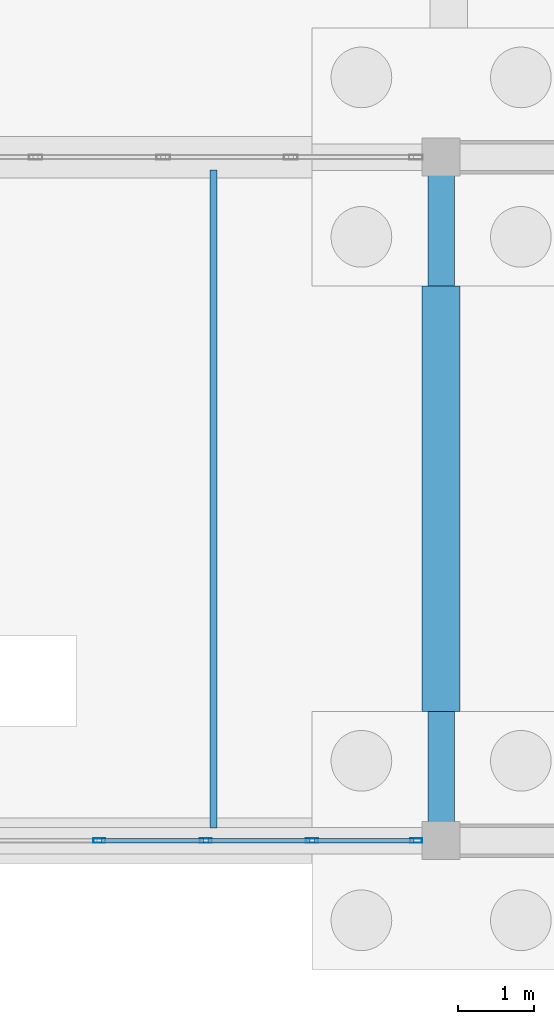
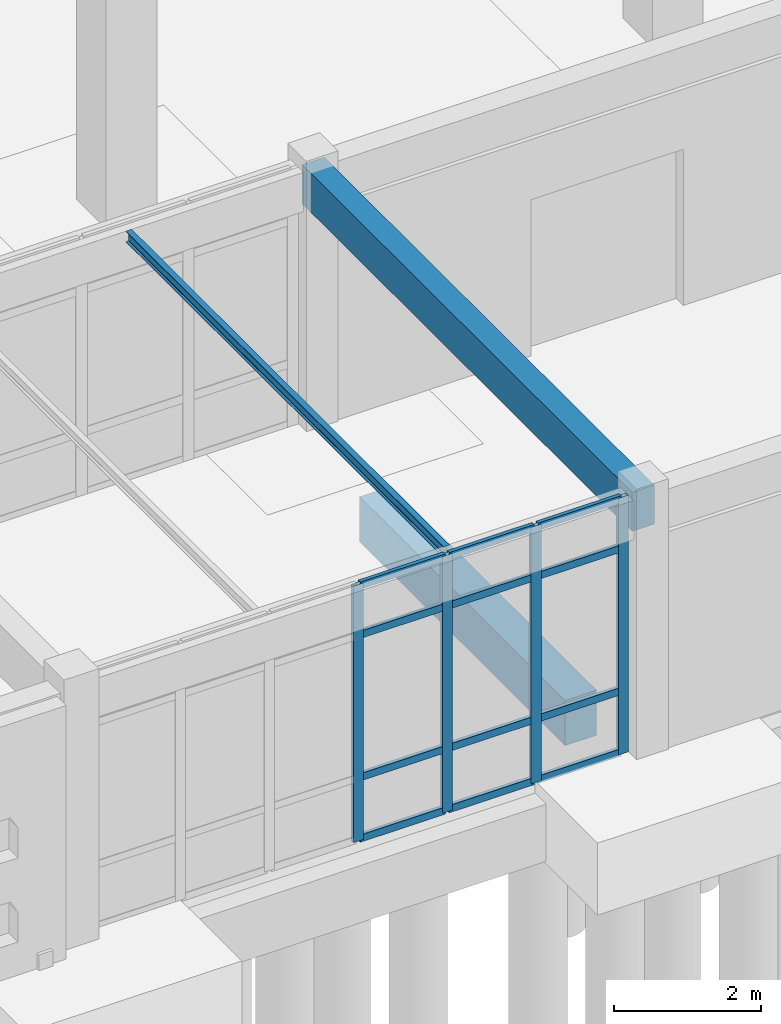
# One storey, part 29 of 186: 16 members, 3 beams, 1 element without a shape of its own.
"""IFC4 building model written with IfcOpenShell, lengths in metres."""

from ifc_helpers import new_model, si_unit, direction, frame, origin, origin_2d, place, context, subcontext, project, spatial, rectangle, hollow_rectangle, i_section, extrude, material, layer, layer_set, material_profile, profile_set, type_object, element, aggregate, save


model = new_model("IFC4")

# Units and contexts
model_context = context("Model", 3, precision=1e-05, world=origin(), true_north=direction((0.0, 1.0)))
body_context = subcontext(model_context, "Body", "Model", "MODEL_VIEW")
ifc_project = project(units=[si_unit("LENGTHUNIT", "METRE"), si_unit("AREAUNIT", "SQUARE_METRE"), si_unit("VOLUMEUNIT", "CUBIC_METRE"), si_unit("PLANEANGLEUNIT", "RADIAN"), si_unit("MASSUNIT", "GRAM", prefix="KILO")], contexts=[model_context])

# Site, building, storey
site_placement = place(None, origin())
site = spatial("IfcSite", under=ifc_project, at=site_placement, CompositionType="ELEMENT")
building_placement = place(site_placement, origin())
building = spatial("IfcBuilding", under=site, at=building_placement, Name="Ornek Quay Market", CompositionType="ELEMENT")
storey_placement = place(building_placement, origin())
storey = spatial("IfcBuildingStorey", under=building, at=storey_placement, Name="L00", CompositionType="ELEMENT", Elevation=0.0)

# Beams
ifc_material_1 = material(Name="Concrete C35/45", Category="concrete")
ifc_material_profile_1 = material_profile(ifc_material_1, rectangle(XDim=0.35009765625, YDim=0.64990234375, at=origin_2d()), Name="RC 350x650", Category="concrete")
ifc_profile_set_1 = profile_set([ifc_material_profile_1], Name="Concrete C35/45")
beam_type_1 = type_object("IfcBeamType", Name="BM-CONC-350x650", PredefinedType="BEAM", material=ifc_profile_set_1)
beam_1_placement = place(storey_placement, frame((36.0, 20.0, 3.945068359375), z_axis=(0.0, 1.0, 0.0), x_axis=(-1.0, 0.0, 0.0)))
element("IfcBeam", 1, at=beam_1_placement, inside=storey, type_object=beam_type_1, Name="Primary beam B-CN1-070", PredefinedType="BEAM", context=body_context, shape_type="SweptSolid", body=[
    extrude(rectangle(XDim=0.35009765625, YDim=0.64990234375, at=origin_2d()), origin(), (0.0, 0.0, 1.0), 9.0),
])
ifc_material_profile_2 = material_profile(ifc_material_1, rectangle(XDim=0.5, YDim=0.75, at=origin_2d()), Name="RC 500x750", Category="concrete")
ifc_profile_set_2 = profile_set([ifc_material_profile_2], Name="Concrete C35/45")
beam_type_2 = type_object("IfcBeamType", Name="BM-GB-500x750", PredefinedType="BEAM", material=ifc_profile_set_2)
beam_2_placement = place(storey_placement, frame((36.0, 21.699951171875, -0.574951171875), z_axis=(0.0, 1.0, 0.0), x_axis=(-1.0, 0.0, 0.0)))
element("IfcBeam", 2, at=beam_2_placement, inside=storey, type_object=beam_type_2, Name="Ground tie beam GB-088", PredefinedType="BEAM", context=body_context, shape_type="SweptSolid", body=[
    extrude(rectangle(XDim=0.5, YDim=0.75, at=origin_2d()), origin(), (0.0, 0.0, 1.0), 5.60009765625),
])
ifc_material_2 = material(Name="Steel S355", Category="steel")
ifc_material_profile_3 = material_profile(ifc_material_2, i_section(OverallWidth=0.091064453125, OverallDepth=0.179931640625, WebThickness=0.00537109375, FlangeThickness=0.008056640625, FilletRadius=0.009033203125, at=origin_2d()), Name="IPE 180", Category="steel")
ifc_profile_set_3 = profile_set([ifc_material_profile_3], Name="Steel S355")
beam_type_3 = type_object("IfcBeamType", Name="BM-STL-IPE180", PredefinedType="JOIST", material=ifc_profile_set_3)
beam_3_placement = place(storey_placement, frame((33.0, 20.1669921875, 4.179931640625), z_axis=(0.0, 1.0, 0.0), x_axis=(-1.0, 0.0, 0.0)))
element("IfcBeam", 3, at=beam_3_placement, inside=storey, type_object=beam_type_3, Name="Secondary joist SB-01-006", PredefinedType="JOIST", context=body_context, shape_type="SweptSolid", body=[
    extrude(i_section(OverallWidth=0.091064453125, OverallDepth=0.179931640625, WebThickness=0.00537109375, FlangeThickness=0.008056640625, FilletRadius=0.009033203125, at=origin_2d()), origin(), (0.0, 0.0, 1.0), 8.666015625),
])

# Curtain wall, members
ifc_material_3 = material(Name="Anodised bronze aluminium and triple low-e glass", Category="aluminium")
ifc_layer = layer(ifc_material_3, 0.179931640625, Name="Anodised bronze aluminium and triple low-e glass", Category="aluminium")
ifc_layer_set = layer_set([ifc_layer], Name="Anodised bronze aluminium and triple low-e glass")
curtain_wall_type = type_object("IfcCurtainWallType", Name="CW-CONC-MOD1500", PredefinedType="USERDEFINED", material=ifc_layer_set)
curtain_wall_placement = place(storey_placement, origin())
curtain_wall = element("IfcCurtainWall", 4, at=curtain_wall_placement, inside=storey, type_object=curtain_wall_type, Name="Curtain wall CW-008", ObjectType="CURTAIN WALL", PredefinedType="USERDEFINED")
ifc_material_4 = material(Name="Anodised aluminium 6063-T6", Category="aluminium")
ifc_material_profile_4 = material_profile(ifc_material_4, hollow_rectangle(XDim=0.06005859375, YDim=0.159912109375, WallThickness=0.00390625, at=origin_2d()), Name="CW-MUL-60x160", Category="aluminium")
ifc_profile_set_4 = profile_set([ifc_material_profile_4], Name="Anodised aluminium 6063-T6")
member_type_1 = type_object("IfcMemberType", Name="CW-MUL-60x160", PredefinedType="MULLION", material=ifc_profile_set_4)
member_1_placement = place(storey_placement, frame((31.5, 20.0, 0.0), z_axis=(0.0, 0.0, 1.0), x_axis=(0.0, 1.0, 0.0)))
member_1 = element("IfcMember", 5, at=member_1_placement, type_object=member_type_1, Name="CW-008 mullion 4", PredefinedType="MULLION", context=body_context, shape_type="SweptSolid", body=[
    extrude(hollow_rectangle(XDim=0.06005859375, YDim=0.159912109375, WallThickness=0.00390625, at=origin_2d()), origin(), (0.0, 0.0, 1.0), 4.27001953125),
])
member_2_placement = place(storey_placement, frame((32.89990234375, 20.0, 0.0), z_axis=(0.0, 0.0, 1.0), x_axis=(0.0, 1.0, 0.0)))
member_2 = element("IfcMember", 6, at=member_2_placement, type_object=member_type_1, Name="CW-008 mullion 5", PredefinedType="MULLION", context=body_context, shape_type="SweptSolid", body=[
    extrude(hollow_rectangle(XDim=0.06005859375, YDim=0.159912109375, WallThickness=0.00390625, at=origin_2d()), origin(), (0.0, 0.0, 1.0), 4.27001953125),
])
member_3_placement = place(storey_placement, frame((34.300048828125, 20.0, 0.0), z_axis=(0.0, 0.0, 1.0), x_axis=(0.0, 1.0, 0.0)))
member_3 = element("IfcMember", 7, at=member_3_placement, type_object=member_type_1, Name="CW-008 mullion 6", PredefinedType="MULLION", context=body_context, shape_type="SweptSolid", body=[
    extrude(hollow_rectangle(XDim=0.06005859375, YDim=0.159912109375, WallThickness=0.00390625, at=origin_2d()), origin(), (0.0, 0.0, 1.0), 4.27001953125),
])
member_4_placement = place(storey_placement, frame((35.669921875, 20.0, 0.0), z_axis=(0.0, 0.0, 1.0), x_axis=(0.0, 1.0, 0.0)))
member_4 = element("IfcMember", 8, at=member_4_placement, type_object=member_type_1, Name="CW-008 mullion 7", PredefinedType="MULLION", context=body_context, shape_type="SweptSolid", body=[
    extrude(hollow_rectangle(XDim=0.06005859375, YDim=0.159912109375, WallThickness=0.00390625, at=origin_2d()), origin(), (0.0, 0.0, 1.0), 4.27001953125),
])
ifc_material_profile_5 = material_profile(ifc_material_4, hollow_rectangle(XDim=0.06005859375, YDim=0.1201171875, WallThickness=0.00390625, at=origin_2d()), Name="CW-TRN-60x120", Category="aluminium")
ifc_profile_set_5 = profile_set([ifc_material_profile_5], Name="Anodised aluminium 6063-T6")
member_type_2 = type_object("IfcMemberType", Name="CW-TRN-60x120", PredefinedType="USERDEFINED", material=ifc_profile_set_5)
member_5_placement = place(storey_placement, frame((31.530029296875, 20.0, 0.030029296875), z_axis=(1.0, 0.0, 0.0), x_axis=(0.0, 1.0, 0.0)))
member_5 = element("IfcMember", 9, at=member_5_placement, type_object=member_type_2, Name="CW-008 transom 4.1", ObjectType="TRANSOM", PredefinedType="USERDEFINED", context=body_context, shape_type="SweptSolid", body=[
    extrude(hollow_rectangle(XDim=0.06005859375, YDim=0.1201171875, WallThickness=0.00390625, at=origin_2d()), origin(), (0.0, 0.0, 1.0), 1.340087890625),
])
member_6_placement = place(storey_placement, frame((31.530029296875, 20.0, 1.050048828125), z_axis=(1.0, 0.0, 0.0), x_axis=(0.0, 1.0, 0.0)))
member_6 = element("IfcMember", 10, at=member_6_placement, type_object=member_type_2, Name="CW-008 transom 4.2", ObjectType="TRANSOM", PredefinedType="USERDEFINED", context=body_context, shape_type="SweptSolid", body=[
    extrude(hollow_rectangle(XDim=0.06005859375, YDim=0.1201171875, WallThickness=0.00390625, at=origin_2d()), origin(), (0.0, 0.0, 1.0), 1.340087890625),
])
member_7_placement = place(storey_placement, frame((31.530029296875, 20.0, 3.419921875), z_axis=(1.0, 0.0, 0.0), x_axis=(0.0, 1.0, 0.0)))
member_7 = element("IfcMember", 11, at=member_7_placement, type_object=member_type_2, Name="CW-008 transom 4.3", ObjectType="TRANSOM", PredefinedType="USERDEFINED", context=body_context, shape_type="SweptSolid", body=[
    extrude(hollow_rectangle(XDim=0.06005859375, YDim=0.1201171875, WallThickness=0.00390625, at=origin_2d()), origin(), (0.0, 0.0, 1.0), 1.340087890625),
])
member_8_placement = place(storey_placement, frame((31.530029296875, 20.0, 4.239990234375), z_axis=(1.0, 0.0, 0.0), x_axis=(0.0, 1.0, 0.0)))
member_8 = element("IfcMember", 12, at=member_8_placement, type_object=member_type_2, Name="CW-008 transom 4.4", ObjectType="TRANSOM", PredefinedType="USERDEFINED", context=body_context, shape_type="SweptSolid", body=[
    extrude(hollow_rectangle(XDim=0.06005859375, YDim=0.1201171875, WallThickness=0.00390625, at=origin_2d()), origin(), (0.0, 0.0, 1.0), 1.340087890625),
])
member_9_placement = place(storey_placement, frame((32.929931640625, 20.0, 0.030029296875), z_axis=(1.0, 0.0, 0.0), x_axis=(0.0, 1.0, 0.0)))
member_9 = element("IfcMember", 13, at=member_9_placement, type_object=member_type_2, Name="CW-008 transom 5.1", ObjectType="TRANSOM", PredefinedType="USERDEFINED", context=body_context, shape_type="SweptSolid", body=[
    extrude(hollow_rectangle(XDim=0.06005859375, YDim=0.1201171875, WallThickness=0.00390625, at=origin_2d()), origin(), (0.0, 0.0, 1.0), 1.340087890625),
])
member_10_placement = place(storey_placement, frame((32.929931640625, 20.0, 1.050048828125), z_axis=(1.0, 0.0, 0.0), x_axis=(0.0, 1.0, 0.0)))
member_10 = element("IfcMember", 14, at=member_10_placement, type_object=member_type_2, Name="CW-008 transom 5.2", ObjectType="TRANSOM", PredefinedType="USERDEFINED", context=body_context, shape_type="SweptSolid", body=[
    extrude(hollow_rectangle(XDim=0.06005859375, YDim=0.1201171875, WallThickness=0.00390625, at=origin_2d()), origin(), (0.0, 0.0, 1.0), 1.340087890625),
])
member_11_placement = place(storey_placement, frame((32.929931640625, 20.0, 3.419921875), z_axis=(1.0, 0.0, 0.0), x_axis=(0.0, 1.0, 0.0)))
member_11 = element("IfcMember", 15, at=member_11_placement, type_object=member_type_2, Name="CW-008 transom 5.3", ObjectType="TRANSOM", PredefinedType="USERDEFINED", context=body_context, shape_type="SweptSolid", body=[
    extrude(hollow_rectangle(XDim=0.06005859375, YDim=0.1201171875, WallThickness=0.00390625, at=origin_2d()), origin(), (0.0, 0.0, 1.0), 1.340087890625),
])
member_12_placement = place(storey_placement, frame((32.929931640625, 20.0, 4.239990234375), z_axis=(1.0, 0.0, 0.0), x_axis=(0.0, 1.0, 0.0)))
member_12 = element("IfcMember", 16, at=member_12_placement, type_object=member_type_2, Name="CW-008 transom 5.4", ObjectType="TRANSOM", PredefinedType="USERDEFINED", context=body_context, shape_type="SweptSolid", body=[
    extrude(hollow_rectangle(XDim=0.06005859375, YDim=0.1201171875, WallThickness=0.00390625, at=origin_2d()), origin(), (0.0, 0.0, 1.0), 1.340087890625),
])
member_13_placement = place(storey_placement, frame((34.330078125, 20.0, 0.030029296875), z_axis=(1.0, 0.0, 0.0), x_axis=(0.0, 1.0, 0.0)))
member_13 = element("IfcMember", 17, at=member_13_placement, type_object=member_type_2, Name="CW-008 transom 6.1", ObjectType="TRANSOM", PredefinedType="USERDEFINED", context=body_context, shape_type="SweptSolid", body=[
    extrude(hollow_rectangle(XDim=0.06005859375, YDim=0.1201171875, WallThickness=0.00390625, at=origin_2d()), origin(), (0.0, 0.0, 1.0), 1.309814453125),
])
member_14_placement = place(storey_placement, frame((34.330078125, 20.0, 1.050048828125), z_axis=(1.0, 0.0, 0.0), x_axis=(0.0, 1.0, 0.0)))
member_14 = element("IfcMember", 18, at=member_14_placement, type_object=member_type_2, Name="CW-008 transom 6.2", ObjectType="TRANSOM", PredefinedType="USERDEFINED", context=body_context, shape_type="SweptSolid", body=[
    extrude(hollow_rectangle(XDim=0.06005859375, YDim=0.1201171875, WallThickness=0.00390625, at=origin_2d()), origin(), (0.0, 0.0, 1.0), 1.309814453125),
])
member_15_placement = place(storey_placement, frame((34.330078125, 20.0, 3.419921875), z_axis=(1.0, 0.0, 0.0), x_axis=(0.0, 1.0, 0.0)))
member_15 = element("IfcMember", 19, at=member_15_placement, type_object=member_type_2, Name="CW-008 transom 6.3", ObjectType="TRANSOM", PredefinedType="USERDEFINED", context=body_context, shape_type="SweptSolid", body=[
    extrude(hollow_rectangle(XDim=0.06005859375, YDim=0.1201171875, WallThickness=0.00390625, at=origin_2d()), origin(), (0.0, 0.0, 1.0), 1.309814453125),
])
member_16_placement = place(storey_placement, frame((34.330078125, 20.0, 4.239990234375), z_axis=(1.0, 0.0, 0.0), x_axis=(0.0, 1.0, 0.0)))
member_16 = element("IfcMember", 20, at=member_16_placement, type_object=member_type_2, Name="CW-008 transom 6.4", ObjectType="TRANSOM", PredefinedType="USERDEFINED", context=body_context, shape_type="SweptSolid", body=[
    extrude(hollow_rectangle(XDim=0.06005859375, YDim=0.1201171875, WallThickness=0.00390625, at=origin_2d()), origin(), (0.0, 0.0, 1.0), 1.309814453125),
])
aggregate(curtain_wall, [member_1, member_2, member_3, member_4, member_5, member_6, member_7, member_8, member_9, member_10, member_11, member_12, member_13, member_14, member_15, member_16])

save(model, "model.ifc")
